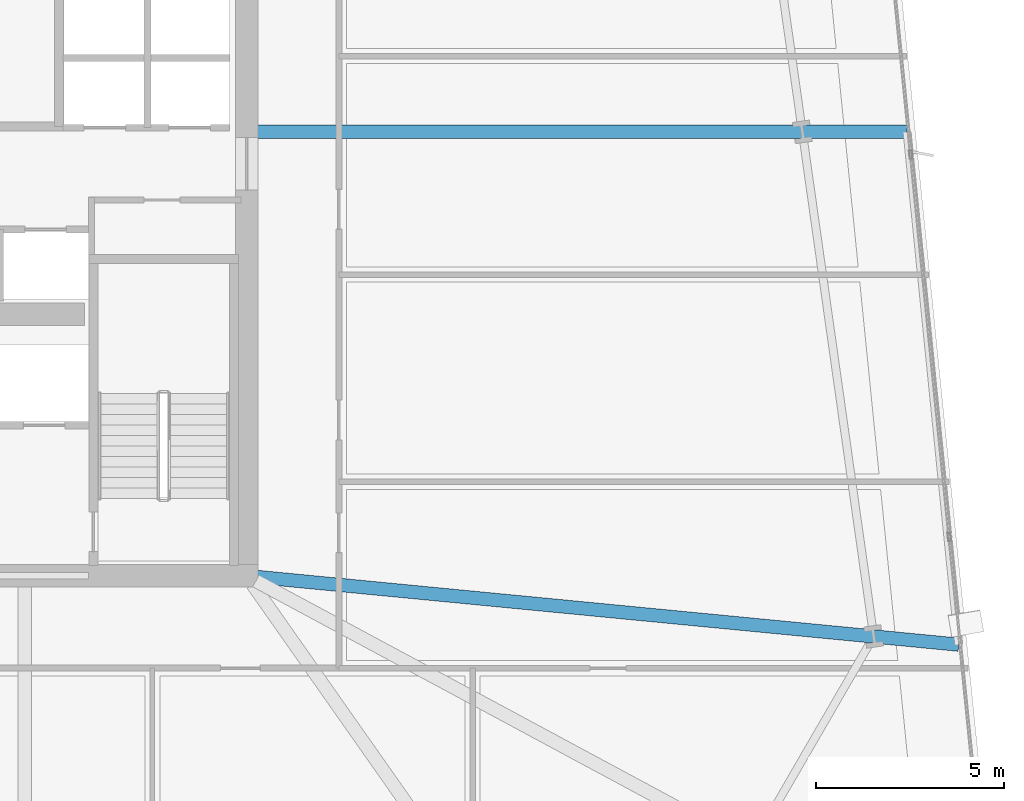
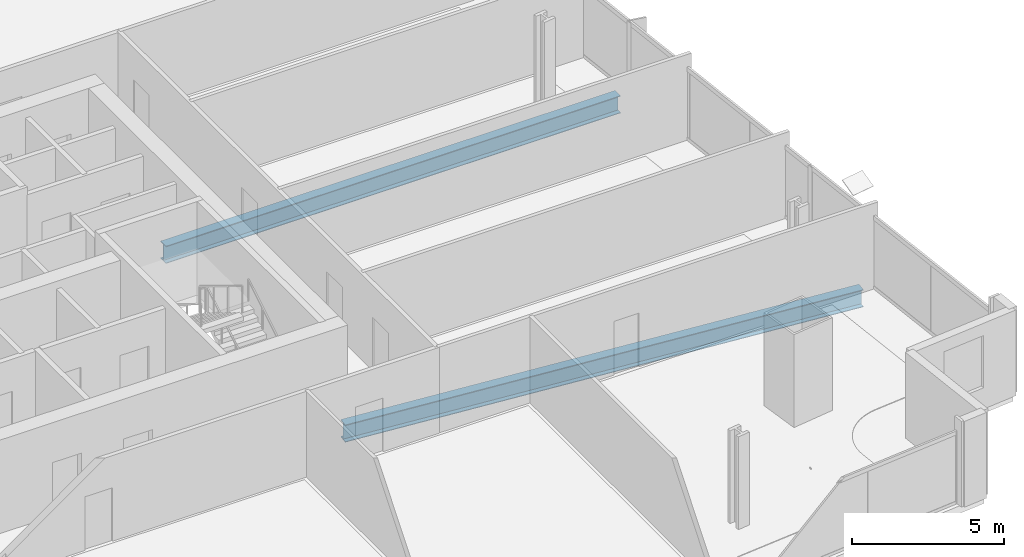
# One storey, part 12 of 33: 2 beams.
"""IFC4 building model written with IfcOpenShell, lengths in metres."""

from ifc_helpers import new_model, si_unit, direction, frame, origin, origin_2d, place, context, subcontext, project, spatial, i_section, extrude, material, material_profile, profile_set, type_object, element, save


model = new_model("IFC4")

# Units and contexts
model_context = context("Model", 3, precision=1e-05, world=origin(), true_north=direction((0.0, 1.0)))
body_context = subcontext(model_context, "Body", "Model", "MODEL_VIEW")
ifc_project = project(units=[si_unit("LENGTHUNIT", "METRE"), si_unit("AREAUNIT", "SQUARE_METRE"), si_unit("VOLUMEUNIT", "CUBIC_METRE"), si_unit("PLANEANGLEUNIT", "RADIAN"), si_unit("MASSUNIT", "GRAM", prefix="KILO")], contexts=[model_context])

# Site, building, storey
site_placement = place(None, origin())
site = spatial("IfcSite", under=ifc_project, at=site_placement, CompositionType="ELEMENT")
building_placement = place(site_placement, origin())
building = spatial("IfcBuilding", under=site, at=building_placement, Name="Haldenkirk Collegiate Tower", CompositionType="ELEMENT")
storey_placement = place(building_placement, frame((0.0, 0.0, 47.699951171875)))
storey = spatial("IfcBuildingStorey", under=building, at=storey_placement, Name="L10", CompositionType="ELEMENT", Elevation=47.699951171875)

# Beams
ifc_material = material(Name="Steel ASTM A992 Grade 50", Category="steel")
ifc_material_profile = material_profile(ifc_material, i_section(OverallWidth=0.35498046875, OverallDepth=0.696044921875, WebThickness=0.015380859375, FlangeThickness=0.02490234375, at=origin_2d()), Name="W27X146")
ifc_profile_set = profile_set([ifc_material_profile], Name="Steel ASTM A992 Grade 50")
beam_type = type_object("IfcBeamType", Name="BM-GIRDER-W27X146", PredefinedType="BEAM", material=ifc_profile_set)
beam_1_placement = place(storey_placement, frame((63.90478515625, 16.17529296875, -0.657958984375), z_axis=(-0.995373870875, 0.096077349986, 0.0), x_axis=(-0.096077349986, -0.995373870875, 0.0)))
element("IfcBeam", 1, at=beam_1_placement, inside=storey, type_object=beam_type, Name="L10 primary floor girder 08", PredefinedType="BEAM", context=body_context, shape_type="SweptSolid", body=[
    extrude(i_section(OverallWidth=0.35498046875, OverallDepth=0.696044921875, WebThickness=0.015380859375, FlangeThickness=0.02490234375, at=origin_2d()), origin(), (0.0, 0.0, 1.0), 18.712646484375),
])
beam_2_placement = place(storey_placement, frame((62.533935546875, 29.788818359375, -0.657958984375), z_axis=(-1.0, 0.0, 0.0), x_axis=(0.0, -1.0, 0.0)))
element("IfcBeam", 2, at=beam_2_placement, inside=storey, type_object=beam_type, Name="L10 primary floor girder 09", PredefinedType="BEAM", context=body_context, shape_type="SweptSolid", body=[
    extrude(i_section(OverallWidth=0.35498046875, OverallDepth=0.696044921875, WebThickness=0.015380859375, FlangeThickness=0.02490234375, at=origin_2d()), origin(), (0.0, 0.0, 1.0), 17.25390625),
])

save(model, "model.ifc")
